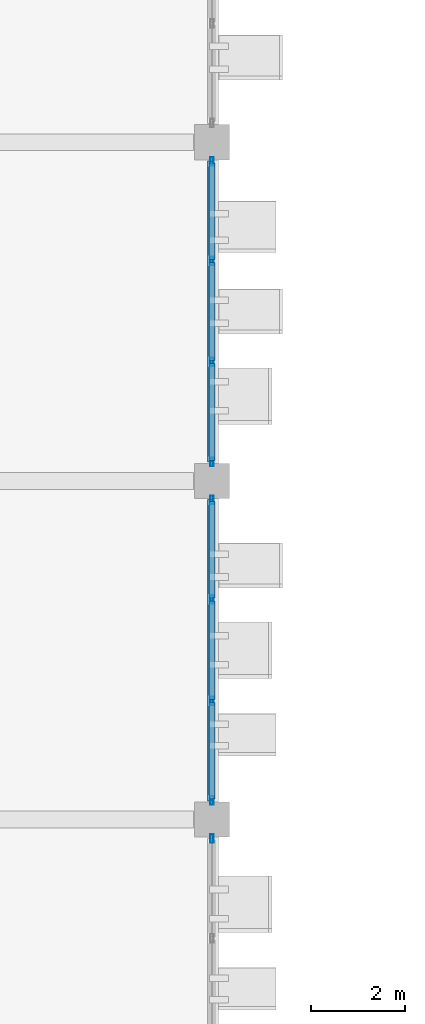
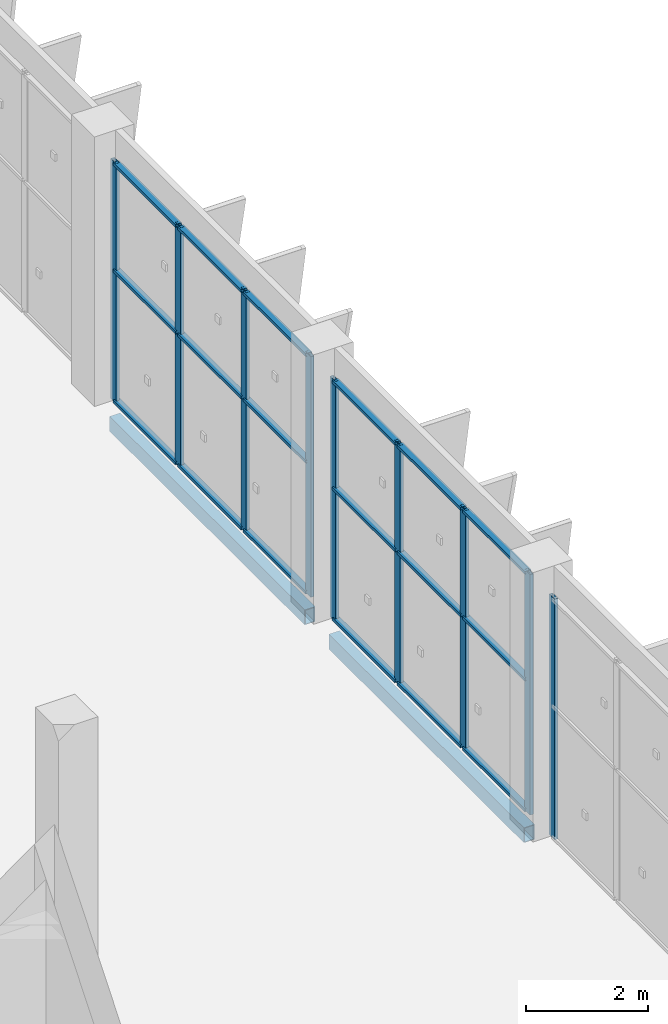
# One storey, part 69 of 189: 27 members, 2 beams, 3 elements without a shape of their own.
"""IFC4 building model written with IfcOpenShell, lengths in metres."""

import ifcopenshell
import ifcopenshell.guid

model = None  # the IFC model being written
_history = None  # IfcOwnerHistory: only IFC2X3 demands one
_inside = {}  # id of a spatial element -> (the spatial element, [elements in it])
_under = {}  # id of a project, library or spatial element -> (it, [spatial elements below it])
_declared = {}  # id of a project -> (the project, [libraries it declares])
_typed = {}  # id of a type object -> (the type object, [elements of that type])
_made_of = {}  # id of a material, layer set ... -> (it, [elements and type objects made of it])


def new_model(schema):
    """Start an empty IFC model of exactly this schema.

    Asked for "IFC4X3", IfcOpenShell would pick the latest addendum, in which some entities
    have other attributes; the version numbers below select the first issue.
    IFC2X3 requires an IfcOwnerHistory on every rooted entity: one is made here for all.
    """
    global model, _history
    if schema == "IFC4X3":
        model = ifcopenshell.file(schema_version=(4, 3, 0, 0))
    else:
        model = ifcopenshell.file(schema=schema)
    _inside.clear()
    _under.clear()
    _declared.clear()
    _typed.clear()
    _made_of.clear()
    _history = None
    if model.schema == "IFC2X3":
        org = make("IfcOrganization", Name="unknown")
        user = make(
            "IfcPersonAndOrganization",
            ThePerson=make("IfcPerson", FamilyName="unknown"),
            TheOrganization=org,
        )
        app = make(
            "IfcApplication",
            ApplicationDeveloper=org,
            Version="unknown",
            ApplicationFullName="unknown",
            ApplicationIdentifier="unknown",
        )
        _history = make(
            "IfcOwnerHistory",
            OwningUser=user,
            OwningApplication=app,
            ChangeAction="ADDED",
            CreationDate=0,
        )
    return model


def make(cls, **values):
    """One entity of the class cls with the attributes given. An attribute that is None is left unset."""
    return model.create_entity(
        cls, **{name: value for name, value in values.items() if value is not None}
    )


def rooted(cls, **values):
    """An entity with a GlobalId (a new one), such as an element, a storey or a relation."""
    return make(cls, GlobalId=ifcopenshell.guid.new(), OwnerHistory=_history, **values)


def si_unit(unit_type, name, prefix=None):
    """IfcSIUnit, for example si_unit("LENGTHUNIT", "METRE", prefix="MILLI")."""
    return make("IfcSIUnit", UnitType=unit_type, Prefix=prefix, Name=name)


def assignment(units):
    """IfcUnitAssignment: the units of a project."""
    return None if units is None else make("IfcUnitAssignment", Units=units)


def point(xyz):
    """IfcCartesianPoint."""
    return None if xyz is None else make("IfcCartesianPoint", Coordinates=xyz)


def direction(xyz):
    """IfcDirection."""
    return None if xyz is None else make("IfcDirection", DirectionRatios=xyz)


def frame(location, z_axis=None, x_axis=None):
    """IfcAxis2Placement3D, a coordinate frame: its origin and axes. An axis left out is left unset."""
    return make(
        "IfcAxis2Placement3D",
        Location=point(location),
        Axis=direction(z_axis),
        RefDirection=direction(x_axis),
    )


def frame_2d(location, x_axis=None):
    """IfcAxis2Placement2D, a coordinate frame in the plane: its origin and x axis."""
    return make(
        "IfcAxis2Placement2D", Location=point(location), RefDirection=direction(x_axis)
    )


def origin():
    """The frame at (0, 0, 0) with its axes left unset."""
    return frame((0.0, 0.0, 0.0))


def origin_2d():
    """The frame at (0, 0) in the plane with its x axis left unset."""
    return frame_2d((0.0, 0.0))


def place(relative_to, where):
    """IfcLocalPlacement: puts the frame where relative to a parent placement (None: the world)."""
    return make(
        "IfcLocalPlacement", PlacementRelTo=relative_to, RelativePlacement=where
    )


def context(
    kind, dimensions, precision=None, world=None, true_north=None, identifier=None
):
    """IfcGeometricRepresentationContext, for example the 3D "Model" context."""
    return make(
        "IfcGeometricRepresentationContext",
        ContextIdentifier=identifier,
        ContextType=kind,
        CoordinateSpaceDimension=dimensions,
        Precision=precision,
        WorldCoordinateSystem=world,
        TrueNorth=true_north,
    )


def subcontext(parent, identifier, kind, view, scale=None):
    """IfcGeometricRepresentationSubContext, for example "Body" below "Model"."""
    return make(
        "IfcGeometricRepresentationSubContext",
        ContextIdentifier=identifier,
        ContextType=kind,
        ParentContext=parent,
        TargetScale=scale,
        TargetView=view,
    )


def project(units=None, contexts=None):
    """IfcProject with its units and contexts."""
    return rooted(
        "IfcProject",
        Name="project",
        RepresentationContexts=contexts,
        UnitsInContext=assignment(units),
    )


def spatial(cls, under=None, at=None, **own):
    """A site, building, storey or space (cls), placed at a placement, below another one or the project."""
    s = rooted(cls, ObjectPlacement=at, **own)
    if under is not None:
        _under.setdefault(under.id(), (under, []))[1].append(s)
    return s


def profile(cls, at=None, kind="AREA", **sizes):
    """A parametric profile (cls). Its sizes go by their IFC names, for example OverallWidth=200.0."""
    return make(cls, ProfileType=kind, Position=at, **sizes)


def hollow_rectangle(**sizes):
    """IfcRectangleHollowProfileDef."""
    return profile("IfcRectangleHollowProfileDef", **sizes)


def extrude(swept, where, along, depth):
    """IfcExtrudedAreaSolid: the profile swept, set in the frame where, extruded along a direction by depth."""
    return make(
        "IfcExtrudedAreaSolid",
        SweptArea=swept,
        Position=where,
        ExtrudedDirection=direction(along),
        Depth=depth,
    )


def shape(context_of_items, identifier, shape_type, items):
    """IfcShapeRepresentation: the items that make up one representation, for example the "Body"."""
    return make(
        "IfcShapeRepresentation",
        ContextOfItems=context_of_items,
        RepresentationIdentifier=identifier,
        RepresentationType=shape_type,
        Items=items,
    )


def material(Name=None, Category=None):
    """IfcMaterial."""
    return make("IfcMaterial", Name=Name, Category=Category)


def layer(
    of_material, thickness, ventilated=None, Name=None, Category=None, Priority=None
):
    """IfcMaterialLayer: one layer of a wall or slab, of a material (None: an air gap)."""
    return make(
        "IfcMaterialLayer",
        Material=of_material,
        LayerThickness=thickness,
        IsVentilated=ventilated,
        Name=Name,
        Category=Category,
        Priority=Priority,
    )


def layer_set(layers, Name=None):
    """IfcMaterialLayerSet."""
    return make("IfcMaterialLayerSet", MaterialLayers=layers, LayerSetName=Name)


def material_profile(
    of_material, cross_section, Name=None, Category=None, Priority=None
):
    """IfcMaterialProfile: a cross section and its material."""
    return make(
        "IfcMaterialProfile",
        Name=Name,
        Material=of_material,
        Profile=cross_section,
        Priority=Priority,
        Category=Category,
    )


def profile_set(profiles, Name=None, composite=None):
    """IfcMaterialProfileSet."""
    return make(
        "IfcMaterialProfileSet",
        Name=Name,
        MaterialProfiles=profiles,
        CompositeProfile=composite,
    )


def made_of(thing, what):
    """Note that an element or type object is made of a material, layer set ...; save() writes the relation."""
    if what is not None:
        _made_of.setdefault(what.id(), (what, []))[1].append(thing)
    return thing


def type_object(cls, material=None, **own):
    """A type object (cls), such as IfcWallType, which elements share."""
    return made_of(rooted(cls, **own), material)


def element(
    cls,
    number,
    at=None,
    inside=None,
    cuts=None,
    type_object=None,
    material=None,
    context=None,
    identifier="Body",
    shape_type=None,
    held_by="IfcProductDefinitionShape",
    body=None,
    shapes=None,
    **own,
):
    """One element of the class cls, such as IfcWall. Its Tag is "e" and its number.

    at: its placement. inside: the storey or other place that contains it. cuts: it is an
    opening in that element (IfcRelVoidsElement). A single representation is given by context,
    identifier, shape_type and body (its items); several are given by shapes. held_by: the class
    of the entity that holds the representations. save() writes the other relations.
    """
    e = rooted(cls, Tag="e%d" % number, ObjectPlacement=at, **own)
    if body is not None:
        shapes = [shape(context, identifier, shape_type, body)]
    if shapes is not None:
        e.Representation = make(held_by, Representations=shapes)
    if inside is not None:
        _inside.setdefault(inside.id(), (inside, []))[1].append(e)
    if cuts is not None:
        rooted(
            "IfcRelVoidsElement", RelatingBuildingElement=cuts, RelatedOpeningElement=e
        )
    if type_object is not None:
        _typed.setdefault(type_object.id(), (type_object, []))[1].append(e)
    return made_of(e, material)


def aggregate(whole, parts):
    """IfcRelAggregates: a whole, such as a stair, and the parts it consists of."""
    return rooted("IfcRelAggregates", RelatingObject=whole, RelatedObjects=parts)


def save(model, path):
    """Write the relations noted so far, then the file.

    IfcRelAggregates (storeys below a building ...), IfcRelContainedInSpatialStructure (elements
    in a storey), IfcRelDefinesByType, IfcRelAssociatesMaterial and IfcRelDeclares: one each for
    every whole, place, type object, material and project.
    """
    for whole, parts in _under.values():
        aggregate(whole, parts)
    for where, things in _inside.values():
        rooted(
            "IfcRelContainedInSpatialStructure",
            RelatedElements=things,
            RelatingStructure=where,
        )
    for kind, things in _typed.values():
        rooted("IfcRelDefinesByType", RelatedObjects=things, RelatingType=kind)
    for what, things in _made_of.values():
        rooted("IfcRelAssociatesMaterial", RelatedObjects=things, RelatingMaterial=what)
    for by, libraries in _declared.values():
        rooted("IfcRelDeclares", RelatingContext=by, RelatedDefinitions=libraries)
    model.write(path)


model = new_model("IFC4")

# Units and contexts
model_context = context("Model", 3, precision=1e-05, world=origin(), true_north=direction((0.0, 1.0)))
body_context = subcontext(model_context, "Body", "Model", "MODEL_VIEW")
ifc_project = project(units=[si_unit("LENGTHUNIT", "METRE"), si_unit("AREAUNIT", "SQUARE_METRE"), si_unit("VOLUMEUNIT", "CUBIC_METRE"), si_unit("PLANEANGLEUNIT", "RADIAN"), si_unit("MASSUNIT", "GRAM", prefix="KILO")], contexts=[model_context])

# Site, building, storey
site_placement = place(None, origin())
site = spatial("IfcSite", under=ifc_project, at=site_placement, CompositionType="ELEMENT")
building_placement = place(site_placement, origin())
building = spatial("IfcBuilding", under=site, at=building_placement, Name="Celestram Park Convention Centre", CompositionType="ELEMENT")
storey_placement = place(building_placement, frame((0.0, 0.0, 5.39990234375)))
storey = spatial("IfcBuildingStorey", under=building, at=storey_placement, Name="L01", CompositionType="ELEMENT", Elevation=5.39990234375)

# Curtain wall, members
ifc_material_1 = material(Name="Anodised Aluminium Alloy 6063-T6", Category="aluminium")
ifc_layer = layer(ifc_material_1, 0.179931640625)
ifc_layer_set = layer_set([ifc_layer], Name="Anodised Aluminium Alloy 6063-T6")
curtain_wall_type = type_object("IfcCurtainWallType", Name="ARC-CW-645X482", PredefinedType="NOTDEFINED", material=ifc_layer_set)
curtain_wall_1_placement = place(storey_placement, origin())
curtain_wall_1 = element("IfcCurtainWall", 1, at=curtain_wall_1_placement, inside=storey, type_object=curtain_wall_type, Name="Unitised curtain wall CU-L01-092", PredefinedType="NOTDEFINED")
ifc_material_profile_1 = material_profile(ifc_material_1, hollow_rectangle(XDim=0.06494140625, YDim=0.179931640625, WallThickness=0.00390625, at=origin_2d()), Name="ALU65X180X4")
ifc_profile_set_1 = profile_set([ifc_material_profile_1], Name="Anodised Aluminium Alloy 6063-T6")
member_type_1 = type_object("IfcMemberType", Name="ARC-CWM-150", PredefinedType="MULLION", material=ifc_profile_set_1)
member_1_placement = place(storey_placement, frame((144.0, 78.79443359375, 0.0), z_axis=(0.0, 0.0, 1.0), x_axis=(1.0, 0.0, 0.0)))
member_1 = element("IfcMember", 2, at=member_1_placement, type_object=member_type_1, Name="CW-64X48 mullion 1", PredefinedType="MULLION", context=body_context, shape_type="SweptSolid", body=[
    extrude(hollow_rectangle(XDim=0.06494140625, YDim=0.179931640625, WallThickness=0.00390625, at=origin_2d()), origin(), (0.0, 0.0, 1.0), 4.820068359375),
])
member_2_placement = place(storey_placement, frame((144.0, 76.67578125, 0.0), z_axis=(0.0, 0.0, 1.0), x_axis=(1.0, 0.0, 0.0)))
member_2 = element("IfcMember", 3, at=member_2_placement, type_object=member_type_1, Name="CW-64X48 mullion 2", PredefinedType="MULLION", context=body_context, shape_type="SweptSolid", body=[
    extrude(hollow_rectangle(XDim=0.06494140625, YDim=0.179931640625, WallThickness=0.00390625, at=origin_2d()), origin(), (0.0, 0.0, 1.0), 4.820068359375),
])
member_3_placement = place(storey_placement, frame((144.0, 74.5244140625, 0.0), z_axis=(0.0, 0.0, 1.0), x_axis=(1.0, 0.0, 0.0)))
member_3 = element("IfcMember", 4, at=member_3_placement, type_object=member_type_1, Name="CW-64X48 mullion 3", PredefinedType="MULLION", context=body_context, shape_type="SweptSolid", body=[
    extrude(hollow_rectangle(XDim=0.06494140625, YDim=0.179931640625, WallThickness=0.00390625, at=origin_2d()), origin(), (0.0, 0.0, 1.0), 4.820068359375),
])
member_4_placement = place(storey_placement, frame((144.0, 72.405517578125, 0.0), z_axis=(0.0, 0.0, 1.0), x_axis=(1.0, 0.0, 0.0)))
member_4 = element("IfcMember", 5, at=member_4_placement, type_object=member_type_1, Name="CW-64X48 mullion 4", PredefinedType="MULLION", context=body_context, shape_type="SweptSolid", body=[
    extrude(hollow_rectangle(XDim=0.06494140625, YDim=0.179931640625, WallThickness=0.00390625, at=origin_2d()), origin(), (0.0, 0.0, 1.0), 4.820068359375),
])

curtain_wall_2_placement = place(storey_placement, origin())
curtain_wall_2 = element("IfcCurtainWall", 6, at=curtain_wall_2_placement, inside=storey, type_object=curtain_wall_type, Name="Unitised curtain wall CU-L01-093", PredefinedType="NOTDEFINED")
member_5_placement = place(storey_placement, frame((144.0, 71.594482421875, 0.0), z_axis=(0.0, 0.0, 1.0), x_axis=(1.0, 0.0, 0.0)))
member_5 = element("IfcMember", 7, at=member_5_placement, type_object=member_type_1, Name="CW-64X48 mullion 1", PredefinedType="MULLION", context=body_context, shape_type="SweptSolid", body=[
    extrude(hollow_rectangle(XDim=0.06494140625, YDim=0.179931640625, WallThickness=0.00390625, at=origin_2d()), origin(), (0.0, 0.0, 1.0), 4.820068359375),
])
member_6_placement = place(storey_placement, frame((144.0, 69.4755859375, 0.0), z_axis=(0.0, 0.0, 1.0), x_axis=(1.0, 0.0, 0.0)))
member_6 = element("IfcMember", 8, at=member_6_placement, type_object=member_type_1, Name="CW-64X48 mullion 2", PredefinedType="MULLION", context=body_context, shape_type="SweptSolid", body=[
    extrude(hollow_rectangle(XDim=0.06494140625, YDim=0.179931640625, WallThickness=0.00390625, at=origin_2d()), origin(), (0.0, 0.0, 1.0), 4.820068359375),
])
member_7_placement = place(storey_placement, frame((144.0, 67.32421875, 0.0), z_axis=(0.0, 0.0, 1.0), x_axis=(1.0, 0.0, 0.0)))
member_7 = element("IfcMember", 9, at=member_7_placement, type_object=member_type_1, Name="CW-64X48 mullion 3", PredefinedType="MULLION", context=body_context, shape_type="SweptSolid", body=[
    extrude(hollow_rectangle(XDim=0.06494140625, YDim=0.179931640625, WallThickness=0.00390625, at=origin_2d()), origin(), (0.0, 0.0, 1.0), 4.820068359375),
])
member_8_placement = place(storey_placement, frame((144.0, 65.20556640625, 0.0), z_axis=(0.0, 0.0, 1.0), x_axis=(1.0, 0.0, 0.0)))
member_8 = element("IfcMember", 10, at=member_8_placement, type_object=member_type_1, Name="CW-64X48 mullion 4", PredefinedType="MULLION", context=body_context, shape_type="SweptSolid", body=[
    extrude(hollow_rectangle(XDim=0.06494140625, YDim=0.179931640625, WallThickness=0.00390625, at=origin_2d()), origin(), (0.0, 0.0, 1.0), 4.820068359375),
])

# Curtain wall, member
curtain_wall_3_placement = place(storey_placement, origin())
curtain_wall_3 = element("IfcCurtainWall", 11, at=curtain_wall_3_placement, inside=storey, type_object=curtain_wall_type, Name="Unitised curtain wall CU-L01-094", PredefinedType="NOTDEFINED")
member_9_placement = place(storey_placement, frame((144.0, 64.39453125, 0.0), z_axis=(0.0, 0.0, 1.0), x_axis=(1.0, 0.0, 0.0)))
member_9 = element("IfcMember", 12, at=member_9_placement, type_object=member_type_1, Name="CW-64X48 mullion 1", PredefinedType="MULLION", context=body_context, shape_type="SweptSolid", body=[
    extrude(hollow_rectangle(XDim=0.06494140625, YDim=0.179931640625, WallThickness=0.00390625, at=origin_2d()), origin(), (0.0, 0.0, 1.0), 4.820068359375),
])
aggregate(curtain_wall_3, [member_9])

# Member
ifc_material_profile_2 = material_profile(ifc_material_1, hollow_rectangle(XDim=0.1201171875, YDim=0.06005859375, WallThickness=0.0029296875, at=origin_2d()), Name="ALU120X60X3")
ifc_profile_set_2 = profile_set([ifc_material_profile_2], Name="Anodised Aluminium Alloy 6063-T6")
member_type_2 = type_object("IfcMemberType", Name="ARC-CWT-120", PredefinedType="USERDEFINED", material=ifc_profile_set_2)
member_10_placement = place(storey_placement, frame((144.0, 78.761962890625, 0.030029296875), z_axis=(0.0, -1.0, 0.0), x_axis=(1.0, 0.0, 0.0)))
member_10 = element("IfcMember", 13, at=member_10_placement, type_object=member_type_2, Name="CW-64X48 transom 1.1", ObjectType="TRANSOM", PredefinedType="USERDEFINED", context=body_context, shape_type="SweptSolid", body=[
    extrude(hollow_rectangle(XDim=0.1201171875, YDim=0.06005859375, WallThickness=0.0029296875, at=origin_2d()), origin(), (0.0, 0.0, 1.0), 2.0537109375),
])

member_11_placement = place(storey_placement, frame((144.0, 78.761962890625, 2.650146484375), z_axis=(0.0, -1.0, 0.0), x_axis=(1.0, 0.0, 0.0)))
member_11 = element("IfcMember", 14, at=member_11_placement, type_object=member_type_2, Name="CW-64X48 transom 1.2", ObjectType="TRANSOM", PredefinedType="USERDEFINED", context=body_context, shape_type="SweptSolid", body=[
    extrude(hollow_rectangle(XDim=0.1201171875, YDim=0.06005859375, WallThickness=0.0029296875, at=origin_2d()), origin(), (0.0, 0.0, 1.0), 2.0537109375),
])

member_12_placement = place(storey_placement, frame((144.0, 78.761962890625, 4.7900390625), z_axis=(0.0, -1.0, 0.0), x_axis=(1.0, 0.0, 0.0)))
member_12 = element("IfcMember", 15, at=member_12_placement, type_object=member_type_2, Name="CW-64X48 transom 1.3", ObjectType="TRANSOM", PredefinedType="USERDEFINED", context=body_context, shape_type="SweptSolid", body=[
    extrude(hollow_rectangle(XDim=0.1201171875, YDim=0.06005859375, WallThickness=0.0029296875, at=origin_2d()), origin(), (0.0, 0.0, 1.0), 2.0537109375),
])

member_13_placement = place(storey_placement, frame((144.0, 76.64306640625, 0.030029296875), z_axis=(0.0, -1.0, 0.0), x_axis=(1.0, 0.0, 0.0)))
member_13 = element("IfcMember", 16, at=member_13_placement, type_object=member_type_2, Name="CW-64X48 transom 2.1", ObjectType="TRANSOM", PredefinedType="USERDEFINED", context=body_context, shape_type="SweptSolid", body=[
    extrude(hollow_rectangle(XDim=0.1201171875, YDim=0.06005859375, WallThickness=0.0029296875, at=origin_2d()), origin(), (0.0, 0.0, 1.0), 2.086181640625),
])

member_14_placement = place(storey_placement, frame((144.0, 76.64306640625, 2.650146484375), z_axis=(0.0, -1.0, 0.0), x_axis=(1.0, 0.0, 0.0)))
member_14 = element("IfcMember", 17, at=member_14_placement, type_object=member_type_2, Name="CW-64X48 transom 2.2", ObjectType="TRANSOM", PredefinedType="USERDEFINED", context=body_context, shape_type="SweptSolid", body=[
    extrude(hollow_rectangle(XDim=0.1201171875, YDim=0.06005859375, WallThickness=0.0029296875, at=origin_2d()), origin(), (0.0, 0.0, 1.0), 2.086181640625),
])

member_15_placement = place(storey_placement, frame((144.0, 76.64306640625, 4.7900390625), z_axis=(0.0, -1.0, 0.0), x_axis=(1.0, 0.0, 0.0)))
member_15 = element("IfcMember", 18, at=member_15_placement, type_object=member_type_2, Name="CW-64X48 transom 2.3", ObjectType="TRANSOM", PredefinedType="USERDEFINED", context=body_context, shape_type="SweptSolid", body=[
    extrude(hollow_rectangle(XDim=0.1201171875, YDim=0.06005859375, WallThickness=0.0029296875, at=origin_2d()), origin(), (0.0, 0.0, 1.0), 2.086181640625),
])

member_16_placement = place(storey_placement, frame((144.0, 74.491943359375, 0.030029296875), z_axis=(0.0, -1.0, 0.0), x_axis=(1.0, 0.0, 0.0)))
member_16 = element("IfcMember", 19, at=member_16_placement, type_object=member_type_2, Name="CW-64X48 transom 3.1", ObjectType="TRANSOM", PredefinedType="USERDEFINED", context=body_context, shape_type="SweptSolid", body=[
    extrude(hollow_rectangle(XDim=0.1201171875, YDim=0.06005859375, WallThickness=0.0029296875, at=origin_2d()), origin(), (0.0, 0.0, 1.0), 2.053955078125),
])

member_17_placement = place(storey_placement, frame((144.0, 74.491943359375, 2.650146484375), z_axis=(0.0, -1.0, 0.0), x_axis=(1.0, 0.0, 0.0)))
member_17 = element("IfcMember", 20, at=member_17_placement, type_object=member_type_2, Name="CW-64X48 transom 3.2", ObjectType="TRANSOM", PredefinedType="USERDEFINED", context=body_context, shape_type="SweptSolid", body=[
    extrude(hollow_rectangle(XDim=0.1201171875, YDim=0.06005859375, WallThickness=0.0029296875, at=origin_2d()), origin(), (0.0, 0.0, 1.0), 2.053955078125),
])

member_18_placement = place(storey_placement, frame((144.0, 74.491943359375, 4.7900390625), z_axis=(0.0, -1.0, 0.0), x_axis=(1.0, 0.0, 0.0)))
member_18 = element("IfcMember", 21, at=member_18_placement, type_object=member_type_2, Name="CW-64X48 transom 3.3", ObjectType="TRANSOM", PredefinedType="USERDEFINED", context=body_context, shape_type="SweptSolid", body=[
    extrude(hollow_rectangle(XDim=0.1201171875, YDim=0.06005859375, WallThickness=0.0029296875, at=origin_2d()), origin(), (0.0, 0.0, 1.0), 2.053955078125),
])

aggregate(curtain_wall_1, [member_1, member_2, member_3, member_4, member_10, member_11, member_12, member_13, member_14, member_15, member_16, member_17, member_18])

member_19_placement = place(storey_placement, frame((144.0, 71.56201171875, 0.030029296875), z_axis=(0.0, -1.0, 0.0), x_axis=(1.0, 0.0, 0.0)))
member_19 = element("IfcMember", 22, at=member_19_placement, type_object=member_type_2, Name="CW-64X48 transom 1.1", ObjectType="TRANSOM", PredefinedType="USERDEFINED", context=body_context, shape_type="SweptSolid", body=[
    extrude(hollow_rectangle(XDim=0.1201171875, YDim=0.06005859375, WallThickness=0.0029296875, at=origin_2d()), origin(), (0.0, 0.0, 1.0), 2.053955078125),
])

member_20_placement = place(storey_placement, frame((144.0, 71.56201171875, 2.650146484375), z_axis=(0.0, -1.0, 0.0), x_axis=(1.0, 0.0, 0.0)))
member_20 = element("IfcMember", 23, at=member_20_placement, type_object=member_type_2, Name="CW-64X48 transom 1.2", ObjectType="TRANSOM", PredefinedType="USERDEFINED", context=body_context, shape_type="SweptSolid", body=[
    extrude(hollow_rectangle(XDim=0.1201171875, YDim=0.06005859375, WallThickness=0.0029296875, at=origin_2d()), origin(), (0.0, 0.0, 1.0), 2.053955078125),
])

member_21_placement = place(storey_placement, frame((144.0, 71.56201171875, 4.7900390625), z_axis=(0.0, -1.0, 0.0), x_axis=(1.0, 0.0, 0.0)))
member_21 = element("IfcMember", 24, at=member_21_placement, type_object=member_type_2, Name="CW-64X48 transom 1.3", ObjectType="TRANSOM", PredefinedType="USERDEFINED", context=body_context, shape_type="SweptSolid", body=[
    extrude(hollow_rectangle(XDim=0.1201171875, YDim=0.06005859375, WallThickness=0.0029296875, at=origin_2d()), origin(), (0.0, 0.0, 1.0), 2.053955078125),
])

member_22_placement = place(storey_placement, frame((144.0, 69.443115234375, 0.030029296875), z_axis=(0.0, -1.0, 0.0), x_axis=(1.0, 0.0, 0.0)))
member_22 = element("IfcMember", 25, at=member_22_placement, type_object=member_type_2, Name="CW-64X48 transom 2.1", ObjectType="TRANSOM", PredefinedType="USERDEFINED", context=body_context, shape_type="SweptSolid", body=[
    extrude(hollow_rectangle(XDim=0.1201171875, YDim=0.06005859375, WallThickness=0.0029296875, at=origin_2d()), origin(), (0.0, 0.0, 1.0), 2.086181640625),
])

member_23_placement = place(storey_placement, frame((144.0, 69.443115234375, 2.650146484375), z_axis=(0.0, -1.0, 0.0), x_axis=(1.0, 0.0, 0.0)))
member_23 = element("IfcMember", 26, at=member_23_placement, type_object=member_type_2, Name="CW-64X48 transom 2.2", ObjectType="TRANSOM", PredefinedType="USERDEFINED", context=body_context, shape_type="SweptSolid", body=[
    extrude(hollow_rectangle(XDim=0.1201171875, YDim=0.06005859375, WallThickness=0.0029296875, at=origin_2d()), origin(), (0.0, 0.0, 1.0), 2.086181640625),
])

member_24_placement = place(storey_placement, frame((144.0, 69.443115234375, 4.7900390625), z_axis=(0.0, -1.0, 0.0), x_axis=(1.0, 0.0, 0.0)))
member_24 = element("IfcMember", 27, at=member_24_placement, type_object=member_type_2, Name="CW-64X48 transom 2.3", ObjectType="TRANSOM", PredefinedType="USERDEFINED", context=body_context, shape_type="SweptSolid", body=[
    extrude(hollow_rectangle(XDim=0.1201171875, YDim=0.06005859375, WallThickness=0.0029296875, at=origin_2d()), origin(), (0.0, 0.0, 1.0), 2.086181640625),
])

member_25_placement = place(storey_placement, frame((144.0, 67.291748046875, 0.030029296875), z_axis=(0.0, -1.0, 0.0), x_axis=(1.0, 0.0, 0.0)))
member_25 = element("IfcMember", 28, at=member_25_placement, type_object=member_type_2, Name="CW-64X48 transom 3.1", ObjectType="TRANSOM", PredefinedType="USERDEFINED", context=body_context, shape_type="SweptSolid", body=[
    extrude(hollow_rectangle(XDim=0.1201171875, YDim=0.06005859375, WallThickness=0.0029296875, at=origin_2d()), origin(), (0.0, 0.0, 1.0), 2.0537109375),
])

member_26_placement = place(storey_placement, frame((144.0, 67.291748046875, 2.650146484375), z_axis=(0.0, -1.0, 0.0), x_axis=(1.0, 0.0, 0.0)))
member_26 = element("IfcMember", 29, at=member_26_placement, type_object=member_type_2, Name="CW-64X48 transom 3.2", ObjectType="TRANSOM", PredefinedType="USERDEFINED", context=body_context, shape_type="SweptSolid", body=[
    extrude(hollow_rectangle(XDim=0.1201171875, YDim=0.06005859375, WallThickness=0.0029296875, at=origin_2d()), origin(), (0.0, 0.0, 1.0), 2.0537109375),
])

member_27_placement = place(storey_placement, frame((144.0, 67.291748046875, 4.7900390625), z_axis=(0.0, -1.0, 0.0), x_axis=(1.0, 0.0, 0.0)))
member_27 = element("IfcMember", 30, at=member_27_placement, type_object=member_type_2, Name="CW-64X48 transom 3.3", ObjectType="TRANSOM", PredefinedType="USERDEFINED", context=body_context, shape_type="SweptSolid", body=[
    extrude(hollow_rectangle(XDim=0.1201171875, YDim=0.06005859375, WallThickness=0.0029296875, at=origin_2d()), origin(), (0.0, 0.0, 1.0), 2.0537109375),
])

aggregate(curtain_wall_2, [member_5, member_6, member_7, member_8, member_19, member_20, member_21, member_22, member_23, member_24, member_25, member_26, member_27])

# Beams
ifc_material_2 = material(Name="Steel ASTM A500 Grade C", Category="steel")
ifc_material_profile_3 = material_profile(ifc_material_2, hollow_rectangle(XDim=0.199951171875, YDim=0.300048828125, WallThickness=0.011962890625, at=origin_2d()), Name="HSS300X200X12")
ifc_profile_set_3 = profile_set([ifc_material_profile_3], Name="Steel ASTM A500 Grade C")
beam_type = type_object("IfcBeamType", Name="STR-SPN-HSS300X200", PredefinedType="SPANDREL", material=ifc_profile_set_3)
for number, where, z_axis, x_axis, name in (
    (31, (144.0, 65.197998046875, -0.429931640625), (0.0, 1.0, 0.0), (-1.0, 0.0, 0.0), "Primary Y-girder BG-L01-0339"),
    (32, (144.0, 72.39794921875, -0.429931640625), (0.0, 1.0, 0.0), (-1.0, 0.0, 0.0), "Primary Y-girder BG-L01-0340"),
):
    element("IfcBeam", number, at=place(storey_placement, frame(where, z_axis=z_axis, x_axis=x_axis)), inside=storey, type_object=beam_type, Name=name, PredefinedType="SPANDREL", context=body_context, shape_type="SweptSolid", body=[
        extrude(hollow_rectangle(XDim=0.199951171875, YDim=0.300048828125, WallThickness=0.011962890625, at=origin_2d()), origin(), (0.0, 0.0, 1.0), 6.404052734375),
    ])

save(model, "model.ifc")
